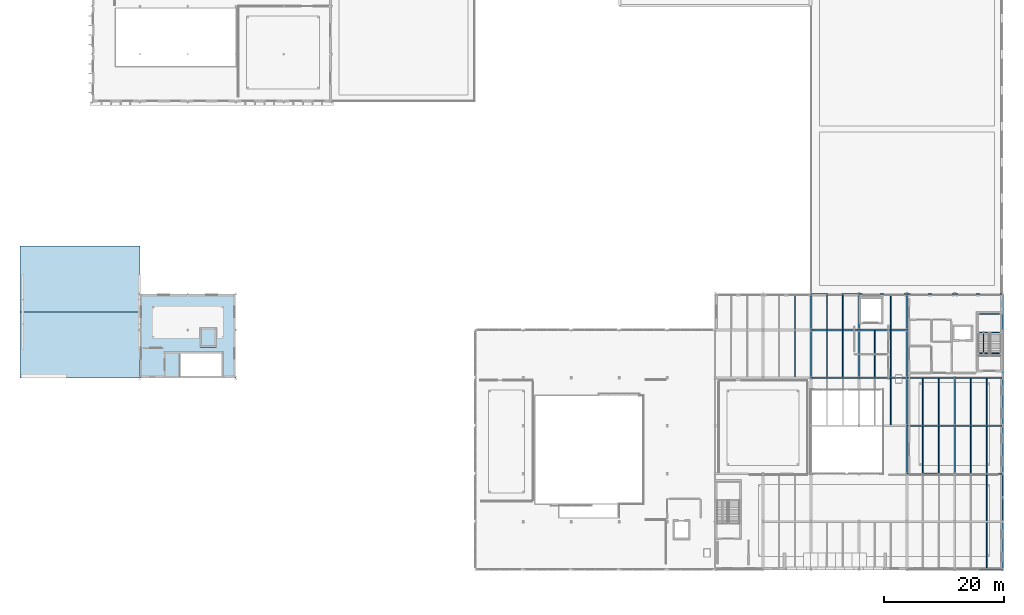
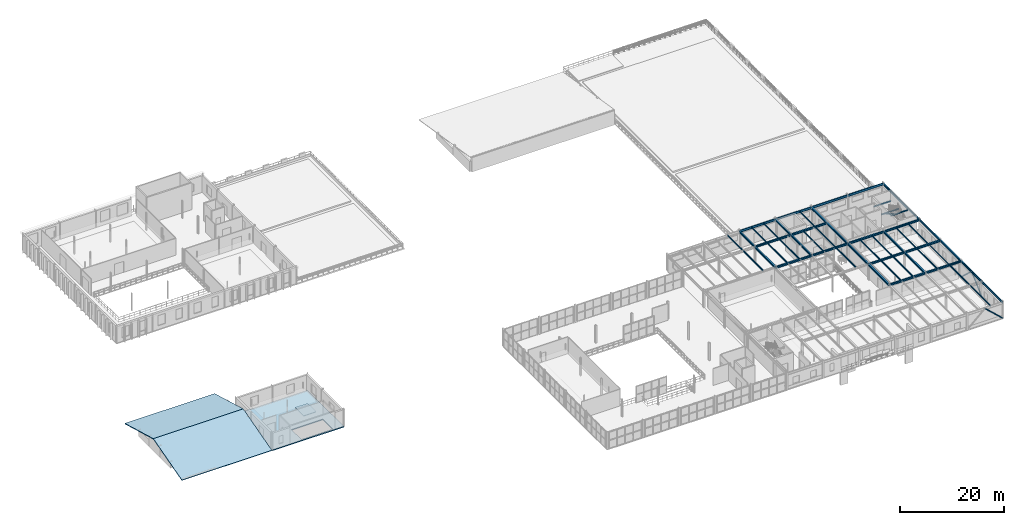
# One storey, part 30 of 67: 53 beams, 4 members, 4 slabs, 1 element without a shape of its own.
"""IFC4 building model written with IfcOpenShell, lengths in metres."""

from ifc_helpers import new_model, si_unit, direction, frame, origin, origin_2d, place, context, subcontext, project, spatial, polyline, hollow_circle, i_section, outline, extrude, material, layer, layer_set, material_profile, profile_set, type_object, element, aggregate, save


model = new_model("IFC4")

# Units and contexts
model_context = context("Model", 3, precision=1e-05, world=origin(), true_north=direction((0.0, 1.0)))
body_context = subcontext(model_context, "Body", "Model", "MODEL_VIEW")
ifc_project = project(units=[si_unit("LENGTHUNIT", "METRE"), si_unit("AREAUNIT", "SQUARE_METRE"), si_unit("VOLUMEUNIT", "CUBIC_METRE"), si_unit("PLANEANGLEUNIT", "RADIAN"), si_unit("MASSUNIT", "GRAM", prefix="KILO")], contexts=[model_context])

# Site, building, storey
site_placement = place(None, origin())
site = spatial("IfcSite", under=ifc_project, at=site_placement, CompositionType="ELEMENT")
building_placement = place(site_placement, origin())
building = spatial("IfcBuilding", under=site, at=building_placement, Name="Sundkrona Museum", CompositionType="ELEMENT")
storey_placement = place(building_placement, frame((0.0, 0.0, 21.800048828125)))
storey = spatial("IfcBuildingStorey", under=building, at=storey_placement, Name="L04", CompositionType="ELEMENT", Elevation=21.800048828125)

# Beams
ifc_material_1 = material(Name="Steel S355J2", Category="steel")
ifc_material_profile_1 = material_profile(ifc_material_1, i_section(OverallWidth=0.300048828125, OverallDepth=0.43994140625, WebThickness=0.011474609375, FlangeThickness=0.02099609375, FilletRadius=0.027099609375, at=origin_2d()), Name="HEA 450")
ifc_profile_set_1 = profile_set([ifc_material_profile_1], Name="Steel S355J2")
beam_type_1 = type_object("IfcBeamType", Name="B-HEA450", PredefinedType="BEAM", material=ifc_profile_set_1)
for number, where, z_axis, x_axis, name in (
    (1, (152.0, 16.0, 3.699951171875), (1.0, 0.0, 0.0), (0.0, 1.0, 0.0), "L04 Girder X-1716"),
    (2, (160.0, 16.0, 3.699951171875), (1.0, 0.0, 0.0), (0.0, 1.0, 0.0), "L04 Girder X-1717"),
    (3, (152.0, 24.0, 3.699951171875), (1.0, 0.0, 0.0), (0.0, 1.0, 0.0), "L04 Girder X-1720"),
    (4, (160.0, 24.0, 3.699951171875), (1.0, 0.0, 0.0), (0.0, 1.0, 0.0), "L04 Girder X-1721"),
    (5, (136.0, 32.0, 3.699951171875), (1.0, 0.0, 0.0), (0.0, 1.0, 0.0), "L04 Girder X-1724"),
    (6, (144.0, 32.0, 3.699951171875), (1.0, 0.0, 0.0), (0.0, 1.0, 0.0), "L04 Girder X-1725"),
    (7, (152.0, 32.0, 3.699951171875), (1.0, 0.0, 0.0), (0.0, 1.0, 0.0), "L04 Girder X-1726"),
    (8, (160.0, 32.0, 3.699951171875), (1.0, 0.0, 0.0), (0.0, 1.0, 0.0), "L04 Girder X-1727"),
    (9, (136.0, 40.0, 3.699951171875), (1.0, 0.0, 0.0), (0.0, 1.0, 0.0), "L04 Girder X-1730"),
    (10, (144.0, 40.0, 3.699951171875), (1.0, 0.0, 0.0), (0.0, 1.0, 0.0), "L04 Girder X-1731"),
    (11, (136.0, 32.0, 3.699951171875), (0.0, 1.0, 0.0), (-1.0, 0.0, 0.0), "L04 Girder Y-1752"),
):
    element("IfcBeam", number, at=place(storey_placement, frame(where, z_axis=z_axis, x_axis=x_axis)), inside=storey, type_object=beam_type_1, Name=name, PredefinedType="BEAM", context=body_context, shape_type="SweptSolid", body=[
        extrude(i_section(OverallWidth=0.300048828125, OverallDepth=0.43994140625, WebThickness=0.011474609375, FlangeThickness=0.02099609375, FilletRadius=0.027099609375, at=origin_2d()), origin(), (0.0, 0.0, 1.0), 8.0),
    ])
beam_1_placement = place(storey_placement, frame((136.0, 40.0, 3.699951171875), z_axis=(0.0, 1.0, 0.0), x_axis=(-1.0, 0.0, 0.0)))
element("IfcBeam", 12, at=beam_1_placement, inside=storey, type_object=beam_type_1, Name="L04 Girder Y-1753", PredefinedType="BEAM", context=body_context, shape_type="SweptSolid", body=[
    extrude(i_section(OverallWidth=0.300048828125, OverallDepth=0.43994140625, WebThickness=0.011474609375, FlangeThickness=0.02099609375, FilletRadius=0.027099609375, at=origin_2d()), origin(), (0.0, 0.0, 1.0), 6.0),
])
beam_2_placement = place(storey_placement, frame((144.0, 32.0, 3.699951171875), z_axis=(0.0, 1.0, 0.0), x_axis=(-1.0, 0.0, 0.0)))
element("IfcBeam", 13, at=beam_2_placement, inside=storey, type_object=beam_type_1, Name="L04 Girder Y-1756", PredefinedType="BEAM", context=body_context, shape_type="SweptSolid", body=[
    extrude(i_section(OverallWidth=0.300048828125, OverallDepth=0.43994140625, WebThickness=0.011474609375, FlangeThickness=0.02099609375, FilletRadius=0.027099609375, at=origin_2d()), origin(), (0.0, 0.0, 1.0), 8.0),
])
beam_3_placement = place(storey_placement, frame((144.0, 40.0, 3.699951171875), z_axis=(0.0, 1.0, 0.0), x_axis=(-1.0, 0.0, 0.0)))
element("IfcBeam", 14, at=beam_3_placement, inside=storey, type_object=beam_type_1, Name="L04 Girder Y-1757", PredefinedType="BEAM", context=body_context, shape_type="SweptSolid", body=[
    extrude(i_section(OverallWidth=0.300048828125, OverallDepth=0.43994140625, WebThickness=0.011474609375, FlangeThickness=0.02099609375, FilletRadius=0.027099609375, at=origin_2d()), origin(), (0.0, 0.0, 1.0), 6.0),
])
for number, where, z_axis, x_axis, name in (
    (15, (152.0, 16.0, 3.699951171875), (0.0, 1.0, 0.0), (-1.0, 0.0, 0.0), "L04 Girder Y-1760"),
    (16, (152.0, 24.0, 3.699951171875), (0.0, 1.0, 0.0), (-1.0, 0.0, 0.0), "L04 Girder Y-1761"),
    (17, (152.0, 32.0, 3.699951171875), (0.0, 1.0, 0.0), (-1.0, 0.0, 0.0), "L04 Girder Y-1762"),
):
    element("IfcBeam", number, at=place(storey_placement, frame(where, z_axis=z_axis, x_axis=x_axis)), inside=storey, type_object=beam_type_1, Name=name, PredefinedType="BEAM", context=body_context, shape_type="SweptSolid", body=[
        extrude(i_section(OverallWidth=0.300048828125, OverallDepth=0.43994140625, WebThickness=0.011474609375, FlangeThickness=0.02099609375, FilletRadius=0.027099609375, at=origin_2d()), origin(), (0.0, 0.0, 1.0), 8.0),
    ])
beam_4_placement = place(storey_placement, frame((152.0, 40.0, 3.699951171875), z_axis=(0.0, 1.0, 0.0), x_axis=(-1.0, 0.0, 0.0)))
element("IfcBeam", 18, at=beam_4_placement, inside=storey, type_object=beam_type_1, Name="L04 Girder Y-1763", PredefinedType="BEAM", context=body_context, shape_type="SweptSolid", body=[
    extrude(i_section(OverallWidth=0.300048828125, OverallDepth=0.43994140625, WebThickness=0.011474609375, FlangeThickness=0.02099609375, FilletRadius=0.027099609375, at=origin_2d()), origin(), (0.0, 0.0, 1.0), 6.0),
])
for number, where, z_axis, x_axis, name in (
    (19, (160.0, 16.0, 3.699951171875), (0.0, 1.0, 0.0), (-1.0, 0.0, 0.0), "L04 Girder Y-1766"),
    (20, (160.0, 24.0, 3.699951171875), (0.0, 1.0, 0.0), (-1.0, 0.0, 0.0), "L04 Girder Y-1767"),
):
    element("IfcBeam", number, at=place(storey_placement, frame(where, z_axis=z_axis, x_axis=x_axis)), inside=storey, type_object=beam_type_1, Name=name, PredefinedType="BEAM", context=body_context, shape_type="SweptSolid", body=[
        extrude(i_section(OverallWidth=0.300048828125, OverallDepth=0.43994140625, WebThickness=0.011474609375, FlangeThickness=0.02099609375, FilletRadius=0.027099609375, at=origin_2d()), origin(), (0.0, 0.0, 1.0), 8.0),
    ])

# Members
ifc_material_profile_2 = material_profile(ifc_material_1, hollow_circle(Radius=0.136474609375, WallThickness=0.012451171875, at=origin_2d()), Name="CHS 273.0x12.5")
ifc_profile_set_2 = profile_set([ifc_material_profile_2], Name="Steel S355J2")
member_type_1 = type_object("IfcMemberType", Name="BR-CHS273", PredefinedType="BRACE", material=ifc_profile_set_2)
for number, where, z_axis, x_axis, name in (
    (21, (168.0, 0.0, 0.0), (-0.734103906603, 0.0, 0.679037152378), (0.0, -1.0, 0.0), "CBR-1 L04 Concentric Chevron Brace 006B"),
    (22, (168.0, 8.0, 0.0), (0.0, 0.734103906603, 0.679037152378), (-1.0, 0.0, 0.0), "CBR-1 L04 Concentric Chevron Brace 012A"),
    (23, (168.0, 16.0, 0.0), (0.0, -0.734103906603, 0.679037152378), (1.0, 0.0, 0.0), "CBR-1 L04 Concentric Chevron Brace 012B"),
):
    element("IfcMember", number, at=place(storey_placement, frame(where, z_axis=z_axis, x_axis=x_axis)), inside=storey, type_object=member_type_1, Name=name, PredefinedType="BRACE", context=body_context, shape_type="SweptSolid", body=[
        extrude(hollow_circle(Radius=0.136474609375, WallThickness=0.012451171875, at=origin_2d()), origin(), (0.0, 0.0, 1.0), 5.44873046875),
    ])
ifc_material_profile_3 = material_profile(ifc_material_1, i_section(OverallWidth=0.135009765625, OverallDepth=0.27001953125, WebThickness=0.006591796875, FlangeThickness=0.01025390625, FilletRadius=0.014892578125, at=origin_2d()), Name="IPE 270")
ifc_profile_set_3 = profile_set([ifc_material_profile_3], Name="Steel S355J2")
member_type_2 = type_object("IfcMemberType", Name="BR-IPE270", PredefinedType="BRACE", material=ifc_profile_set_3)
member_placement = place(storey_placement, frame((164.800048828125, 39.534912109375, 1.780029296875), z_axis=(0.0, -0.882182779908, 0.470907148846), x_axis=(1.0, 0.0, 0.0)))
element("IfcMember", 24, at=member_placement, inside=storey, type_object=member_type_2, Name="SRK-1 L04 ST-1 Flight 2 Inclined Carriage Raker", PredefinedType="BRACE", context=body_context, shape_type="SweptSolid", body=[
    extrude(i_section(OverallWidth=0.135009765625, OverallDepth=0.27001953125, WebThickness=0.006591796875, FlangeThickness=0.01025390625, FilletRadius=0.014892578125, at=origin_2d()), origin(), (0.0, 0.0, 1.0), 3.8935546875),
])

# Beams
ifc_material_profile_4 = material_profile(ifc_material_1, i_section(OverallWidth=0.10009765625, OverallDepth=0.199951171875, WebThickness=0.005615234375, FlangeThickness=0.008544921875, FilletRadius=0.011962890625, at=origin_2d()), Name="IPE 200")
ifc_profile_set_4 = profile_set([ifc_material_profile_4], Name="Steel S355J2")
beam_type_2 = type_object("IfcBeamType", Name="J-IPE200", PredefinedType="JOIST", material=ifc_profile_set_4)
for number, where, z_axis, x_axis, name in (
    (25, (163.909912109375, 39.598388671875, 1.780029296875), (1.0, 0.0, 0.0), (0.0, 1.0, 0.0), "L04 ST-1 Mid-Landing Trimmer Beam 1A"),
    (26, (163.909912109375, 42.63671875, 1.780029296875), (1.0, 0.0, 0.0), (0.0, 1.0, 0.0), "L04 ST-1 Mid-Landing Trimmer Beam 1B"),
    (27, (163.909912109375, 36.10009765625, 3.613525390625), (1.0, 0.0, 0.0), (0.0, 1.0, 0.0), "L04 ST-1 Flight 2 Arrival Header Beam"),
):
    element("IfcBeam", number, at=place(storey_placement, frame(where, z_axis=z_axis, x_axis=x_axis)), inside=storey, type_object=beam_type_2, Name=name, PredefinedType="JOIST", context=body_context, shape_type="SweptSolid", body=[
        extrude(i_section(OverallWidth=0.10009765625, OverallDepth=0.199951171875, WebThickness=0.005615234375, FlangeThickness=0.008544921875, FilletRadius=0.011962890625, at=origin_2d()), origin(), (0.0, 0.0, 1.0), 3.780029296875),
    ])
ifc_material_profile_5 = material_profile(ifc_material_1, i_section(OverallWidth=0.1201171875, OverallDepth=0.239990234375, WebThickness=0.006103515625, FlangeThickness=0.009765625, FilletRadius=0.014892578125, at=origin_2d()), Name="IPE 240")
ifc_profile_set_5 = profile_set([ifc_material_profile_5], Name="Steel S355J2")
beam_type_3 = type_object("IfcBeamType", Name="J-IPE240", PredefinedType="JOIST", material=ifc_profile_set_5)
beam_5_placement = place(storey_placement, frame((165.333251953125, 16.14404296875, 3.800048828125), z_axis=(0.0, 1.0, 0.0), x_axis=(-1.0, 0.0, 0.0)))
element("IfcBeam", 28, at=beam_5_placement, inside=storey, type_object=beam_type_3, Name="L04 Composite Joist 1225", PredefinedType="JOIST", context=body_context, shape_type="SweptSolid", body=[
    extrude(i_section(OverallWidth=0.1201171875, OverallDepth=0.239990234375, WebThickness=0.006103515625, FlangeThickness=0.009765625, FilletRadius=0.014892578125, at=origin_2d()), origin(), (0.0, 0.0, 1.0), 7.7119140625),
])
ifc_material_profile_6 = material_profile(ifc_material_1, i_section(OverallWidth=0.135009765625, OverallDepth=0.27001953125, WebThickness=0.006591796875, FlangeThickness=0.01025390625, FilletRadius=0.014892578125, at=origin_2d()), Name="IPE 270")
ifc_profile_set_6 = profile_set([ifc_material_profile_6], Name="Steel S355J2")
beam_type_4 = type_object("IfcBeamType", Name="J-IPE270", PredefinedType="JOIST", material=ifc_profile_set_6)
beam_6_placement = place(storey_placement, frame((149.333251953125, 32.14404296875, 3.784912109375), z_axis=(0.0, 1.0, 0.0), x_axis=(-1.0, 0.0, 0.0)))
element("IfcBeam", 29, at=beam_6_placement, inside=storey, type_object=beam_type_4, Name="L04 Composite Joist 1210", PredefinedType="JOIST", context=body_context, shape_type="SweptSolid", body=[
    extrude(i_section(OverallWidth=0.135009765625, OverallDepth=0.27001953125, WebThickness=0.006591796875, FlangeThickness=0.01025390625, FilletRadius=0.014892578125, at=origin_2d()), origin(), (0.0, 0.0, 1.0), 7.7119140625),
])
ifc_material_profile_7 = material_profile(ifc_material_1, i_section(OverallWidth=0.14990234375, OverallDepth=0.300048828125, WebThickness=0.007080078125, FlangeThickness=0.0107421875, FilletRadius=0.014892578125, at=origin_2d()), Name="IPE 300")
ifc_profile_set_7 = profile_set([ifc_material_profile_7], Name="Steel S355J2")
beam_type_5 = type_object("IfcBeamType", Name="J-IPE300", PredefinedType="JOIST", material=ifc_profile_set_7)
beam_7_placement = place(storey_placement, frame((133.333251953125, 32.14404296875, 3.77001953125), z_axis=(0.0, 1.0, 0.0), x_axis=(-1.0, 0.0, 0.0)))
element("IfcBeam", 30, at=beam_7_placement, inside=storey, type_object=beam_type_5, Name="L04 Composite Joist 1194", PredefinedType="JOIST", context=body_context, shape_type="SweptSolid", body=[
    extrude(i_section(OverallWidth=0.14990234375, OverallDepth=0.300048828125, WebThickness=0.007080078125, FlangeThickness=0.0107421875, FilletRadius=0.014892578125, at=origin_2d()), origin(), (0.0, 0.0, 1.0), 7.7119140625),
])
beam_8_placement = place(storey_placement, frame((133.333251953125, 40.14404296875, 3.77001953125), z_axis=(0.0, 1.0, 0.0), x_axis=(-1.0, 0.0, 0.0)))
element("IfcBeam", 31, at=beam_8_placement, inside=storey, type_object=beam_type_5, Name="L04 Composite Joist 1196", PredefinedType="JOIST", context=body_context, shape_type="SweptSolid", body=[
    extrude(i_section(OverallWidth=0.14990234375, OverallDepth=0.300048828125, WebThickness=0.007080078125, FlangeThickness=0.0107421875, FilletRadius=0.014892578125, at=origin_2d()), origin(), (0.0, 0.0, 1.0), 5.761962890625),
])
for number, where, z_axis, x_axis, name in (
    (32, (138.666748046875, 32.14404296875, 3.77001953125), (0.0, 1.0, 0.0), (-1.0, 0.0, 0.0), "L04 Composite Joist 1201"),
    (33, (141.333251953125, 32.14404296875, 3.77001953125), (0.0, 1.0, 0.0), (-1.0, 0.0, 0.0), "L04 Composite Joist 1202"),
):
    element("IfcBeam", number, at=place(storey_placement, frame(where, z_axis=z_axis, x_axis=x_axis)), inside=storey, type_object=beam_type_5, Name=name, PredefinedType="JOIST", context=body_context, shape_type="SweptSolid", body=[
        extrude(i_section(OverallWidth=0.14990234375, OverallDepth=0.300048828125, WebThickness=0.007080078125, FlangeThickness=0.0107421875, FilletRadius=0.014892578125, at=origin_2d()), origin(), (0.0, 0.0, 1.0), 7.7119140625),
    ])
for number, where, z_axis, x_axis, name in (
    (34, (138.666748046875, 40.14404296875, 3.77001953125), (0.0, 1.0, 0.0), (-1.0, 0.0, 0.0), "L04 Composite Joist 1203"),
    (35, (141.333251953125, 40.14404296875, 3.77001953125), (0.0, 1.0, 0.0), (-1.0, 0.0, 0.0), "L04 Composite Joist 1204"),
):
    element("IfcBeam", number, at=place(storey_placement, frame(where, z_axis=z_axis, x_axis=x_axis)), inside=storey, type_object=beam_type_5, Name=name, PredefinedType="JOIST", context=body_context, shape_type="SweptSolid", body=[
        extrude(i_section(OverallWidth=0.14990234375, OverallDepth=0.300048828125, WebThickness=0.007080078125, FlangeThickness=0.0107421875, FilletRadius=0.014892578125, at=origin_2d()), origin(), (0.0, 0.0, 1.0), 5.761962890625),
    ])
for number, where, z_axis, x_axis, name in (
    (36, (149.333251953125, 24.14404296875, 3.77001953125), (0.0, 1.0, 0.0), (-1.0, 0.0, 0.0), "L04 Composite Joist 1208"),
    (37, (146.666748046875, 32.14404296875, 3.77001953125), (0.0, 1.0, 0.0), (-1.0, 0.0, 0.0), "L04 Composite Joist 1209"),
):
    element("IfcBeam", number, at=place(storey_placement, frame(where, z_axis=z_axis, x_axis=x_axis)), inside=storey, type_object=beam_type_5, Name=name, PredefinedType="JOIST", context=body_context, shape_type="SweptSolid", body=[
        extrude(i_section(OverallWidth=0.14990234375, OverallDepth=0.300048828125, WebThickness=0.007080078125, FlangeThickness=0.0107421875, FilletRadius=0.014892578125, at=origin_2d()), origin(), (0.0, 0.0, 1.0), 7.7119140625),
    ])
beam_9_placement = place(storey_placement, frame((149.333251953125, 40.14404296875, 3.77001953125), z_axis=(0.0, 1.0, 0.0), x_axis=(-1.0, 0.0, 0.0)))
element("IfcBeam", 38, at=beam_9_placement, inside=storey, type_object=beam_type_5, Name="L04 Composite Joist 1211", PredefinedType="JOIST", context=body_context, shape_type="SweptSolid", body=[
    extrude(i_section(OverallWidth=0.14990234375, OverallDepth=0.300048828125, WebThickness=0.007080078125, FlangeThickness=0.0107421875, FilletRadius=0.014892578125, at=origin_2d()), origin(), (0.0, 0.0, 1.0), 5.761962890625),
])
for number, where, z_axis, x_axis, name in (
    (39, (154.666748046875, 16.14404296875, 3.77001953125), (0.0, 1.0, 0.0), (-1.0, 0.0, 0.0), "L04 Composite Joist 1216"),
    (40, (157.333251953125, 16.14404296875, 3.77001953125), (0.0, 1.0, 0.0), (-1.0, 0.0, 0.0), "L04 Composite Joist 1217"),
    (41, (154.666748046875, 24.14404296875, 3.77001953125), (0.0, 1.0, 0.0), (-1.0, 0.0, 0.0), "L04 Composite Joist 1218"),
    (42, (157.333251953125, 24.14404296875, 3.77001953125), (0.0, 1.0, 0.0), (-1.0, 0.0, 0.0), "L04 Composite Joist 1219"),
):
    element("IfcBeam", number, at=place(storey_placement, frame(where, z_axis=z_axis, x_axis=x_axis)), inside=storey, type_object=beam_type_5, Name=name, PredefinedType="JOIST", context=body_context, shape_type="SweptSolid", body=[
        extrude(i_section(OverallWidth=0.14990234375, OverallDepth=0.300048828125, WebThickness=0.007080078125, FlangeThickness=0.0107421875, FilletRadius=0.014892578125, at=origin_2d()), origin(), (0.0, 0.0, 1.0), 7.7119140625),
    ])
beam_10_placement = place(storey_placement, frame((165.333251953125, 0.093994140625, 3.77001953125), z_axis=(0.0, 1.0, 0.0), x_axis=(-1.0, 0.0, 0.0)))
element("IfcBeam", 43, at=beam_10_placement, inside=storey, type_object=beam_type_5, Name="L04 Composite Joist 1221", PredefinedType="JOIST", context=body_context, shape_type="SweptSolid", body=[
    extrude(i_section(OverallWidth=0.14990234375, OverallDepth=0.300048828125, WebThickness=0.007080078125, FlangeThickness=0.0107421875, FilletRadius=0.014892578125, at=origin_2d()), origin(), (0.0, 0.0, 1.0), 7.761962890625),
])
for number, where, z_axis, x_axis, name in (
    (44, (165.333251953125, 8.14404296875, 3.77001953125), (0.0, 1.0, 0.0), (-1.0, 0.0, 0.0), "L04 Composite Joist 1223"),
    (45, (162.666748046875, 16.14404296875, 3.77001953125), (0.0, 1.0, 0.0), (-1.0, 0.0, 0.0), "L04 Composite Joist 1224"),
    (46, (162.666748046875, 24.14404296875, 3.77001953125), (0.0, 1.0, 0.0), (-1.0, 0.0, 0.0), "L04 Composite Joist 1226"),
    (47, (165.333251953125, 24.14404296875, 3.77001953125), (0.0, 1.0, 0.0), (-1.0, 0.0, 0.0), "L04 Composite Joist 1227"),
):
    element("IfcBeam", number, at=place(storey_placement, frame(where, z_axis=z_axis, x_axis=x_axis)), inside=storey, type_object=beam_type_5, Name=name, PredefinedType="JOIST", context=body_context, shape_type="SweptSolid", body=[
        extrude(i_section(OverallWidth=0.14990234375, OverallDepth=0.300048828125, WebThickness=0.007080078125, FlangeThickness=0.0107421875, FilletRadius=0.014892578125, at=origin_2d()), origin(), (0.0, 0.0, 1.0), 7.7119140625),
    ])
ifc_material_profile_8 = material_profile(ifc_material_1, i_section(OverallWidth=0.199951171875, OverallDepth=0.5, WebThickness=0.01025390625, FlangeThickness=0.01611328125, FilletRadius=0.02099609375, at=origin_2d()), Name="IPE 500")
ifc_profile_set_8 = profile_set([ifc_material_profile_8], Name="Steel S355J2")
beam_type_6 = type_object("IfcBeamType", Name="SP-IPE500", PredefinedType="SPANDREL", material=ifc_profile_set_8)
for number, where, z_axis, x_axis, name in (
    (48, (136.0, 46.0, 3.669921875), (1.0, 0.0, 0.0), (0.0, 1.0, 0.0), "L04 Girder X-1734"),
    (49, (144.0, 46.0, 3.669921875), (1.0, 0.0, 0.0), (0.0, 1.0, 0.0), "L04 Girder X-1735"),
    (50, (152.0, 46.0, 3.669921875), (1.0, 0.0, 0.0), (0.0, 1.0, 0.0), "L04 Girder X-1736"),
    (51, (160.0, 46.0, 3.669921875), (1.0, 0.0, 0.0), (0.0, 1.0, 0.0), "L04 Girder X-1737"),
    (52, (168.0, 0.0, 3.669921875), (0.0, 1.0, 0.0), (-1.0, 0.0, 0.0), "L04 Girder Y-1768"),
    (53, (168.0, 8.0, 3.669921875), (0.0, 1.0, 0.0), (-1.0, 0.0, 0.0), "L04 Girder Y-1769"),
    (54, (168.0, 16.0, 3.669921875), (0.0, 1.0, 0.0), (-1.0, 0.0, 0.0), "L04 Girder Y-1770"),
    (55, (168.0, 24.0, 3.669921875), (0.0, 1.0, 0.0), (-1.0, 0.0, 0.0), "L04 Girder Y-1771"),
    (56, (168.0, 32.0, 3.669921875), (0.0, 1.0, 0.0), (-1.0, 0.0, 0.0), "L04 Girder Y-1772"),
):
    element("IfcBeam", number, at=place(storey_placement, frame(where, z_axis=z_axis, x_axis=x_axis)), inside=storey, type_object=beam_type_6, Name=name, PredefinedType="SPANDREL", context=body_context, shape_type="SweptSolid", body=[
        extrude(i_section(OverallWidth=0.199951171875, OverallDepth=0.5, WebThickness=0.01025390625, FlangeThickness=0.01611328125, FilletRadius=0.02099609375, at=origin_2d()), origin(), (0.0, 0.0, 1.0), 8.0),
    ])
beam_11_placement = place(storey_placement, frame((168.0, 40.0, 3.669921875), z_axis=(0.0, 1.0, 0.0), x_axis=(-1.0, 0.0, 0.0)))
element("IfcBeam", 57, at=beam_11_placement, inside=storey, type_object=beam_type_6, Name="L04 Girder Y-1773", PredefinedType="SPANDREL", context=body_context, shape_type="SweptSolid", body=[
    extrude(i_section(OverallWidth=0.199951171875, OverallDepth=0.5, WebThickness=0.01025390625, FlangeThickness=0.01611328125, FilletRadius=0.02099609375, at=origin_2d()), origin(), (0.0, 0.0, 1.0), 6.0),
])

# Slabs
ifc_material_2 = material(Name="Concrete C35/45", Category="concrete")
ifc_layer_1 = layer(ifc_material_2, 0.239990234375)
ifc_layer_set_1 = layer_set([ifc_layer_1], Name="Concrete C35/45")
slab_type_1 = type_object("IfcSlabType", Name="SL-FL-240", PredefinedType="FLOOR", material=ifc_layer_set_1)
slab_1_placement = place(storey_placement, frame((0.0, 0.0, -0.239990234375)))
element("IfcSlab", 58, at=slab_1_placement, inside=storey, type_object=slab_type_1, Name="L04 Standard composite gallery floor slab 240 mm (SL-L04-V4L)", PredefinedType="FLOOR", context=body_context, shape_type="SweptSolid", body=[
    extrude(outline(polyline([(24.0, 32.0), (40.0, 32.0), (40.0, 46.0), (24.0, 46.0), (24.0, 32.0)]), holes=[polyline([(37.675048828125, 32.324951171875), (30.72509765625, 32.324951171875), (30.72509765625, 36.074951171875), (37.675048828125, 36.074951171875), (37.675048828125, 32.324951171875)])]), origin(), (0.0, 0.0, 1.0), 0.239990234375),
])
ifc_layer_2 = layer(ifc_material_2, 0.159912109375)
ifc_layer_set_2 = layer_set([ifc_layer_2], Name="Concrete C35/45")
slab_type_2 = type_object("IfcSlabType", Name="SL-RF-160", PredefinedType="ROOF", material=ifc_layer_set_2)
slab_2_placement = place(storey_placement, frame((0.0, 0.0, 1.300048828125)))
element("IfcSlab", 59, at=slab_2_placement, inside=storey, type_object=slab_type_2, Name="PL-4 Lift Overrun Cap Slab", PredefinedType="ROOF", context=body_context, shape_type="SweptSolid", body=[
    extrude(outline(polyline([(34.0, 37.10009765625), (36.800048828125, 37.10009765625), (36.800048828125, 40.39990234375), (34.0, 40.39990234375), (34.0, 37.10009765625)])), origin(), (0.0, 0.0, 1.0), 0.159912109375),
])

# Roof, slabs
ifc_material_3 = material(Name="Patinated Copper and Composite Steel-Concrete", Category="concrete")
ifc_layer_3 = layer(ifc_material_3, 0.179931640625)
ifc_layer_set_3 = layer_set([ifc_layer_3], Name="Patinated Copper and Composite Steel-Concrete")
roof_type = type_object("IfcRoofType", Name="ROOF-PAV", PredefinedType="PAVILION_ROOF", material=ifc_layer_set_3)
roof_placement = place(storey_placement, origin())
roof = element("IfcRoof", 60, at=roof_placement, inside=storey, type_object=roof_type, Name="Volume 4 Cantilever Pavilion Pitched Copper Roof", PredefinedType="PAVILION_ROOF")
slab_3_placement = place(storey_placement, frame((4.0, 32.0, -0.050048828125), z_axis=(0.0, -0.268922572458, 0.963161798465), x_axis=(1.0, 0.0, 0.0)))
slab_3 = element("IfcSlab", 61, at=slab_3_placement, type_object=slab_type_2, Name="Cantilever Pavilion South Copper Roof", PredefinedType="ROOF", context=body_context, shape_type="SweptSolid", body=[
    extrude(outline(polyline([(0.0, 0.0), (20.0, 0.0), (20.0, 11.42071873856598), (0.0, 11.42071873856598), (0.0, 0.0)])), origin(), (0.0, 0.0, -1.0), 0.159912109375),
])
slab_4_placement = place(storey_placement, frame((4.0, 43.0, 3.021240234375), z_axis=(0.0, 0.268922572458, 0.963161798465), x_axis=(1.0, 0.0, 0.0)))
slab_4 = element("IfcSlab", 62, at=slab_4_placement, type_object=slab_type_2, Name="Cantilever Pavilion North Copper Roof", PredefinedType="ROOF", context=body_context, shape_type="SweptSolid", body=[
    extrude(outline(polyline([(0.0, 0.0), (20.0, 0.0), (20.0, 11.42071873856598), (0.0, 11.42071873856598), (0.0, 0.0)])), origin(), (0.0, 0.0, -1.0), 0.159912109375),
])
aggregate(roof, [slab_3, slab_4])

save(model, "model.ifc")
